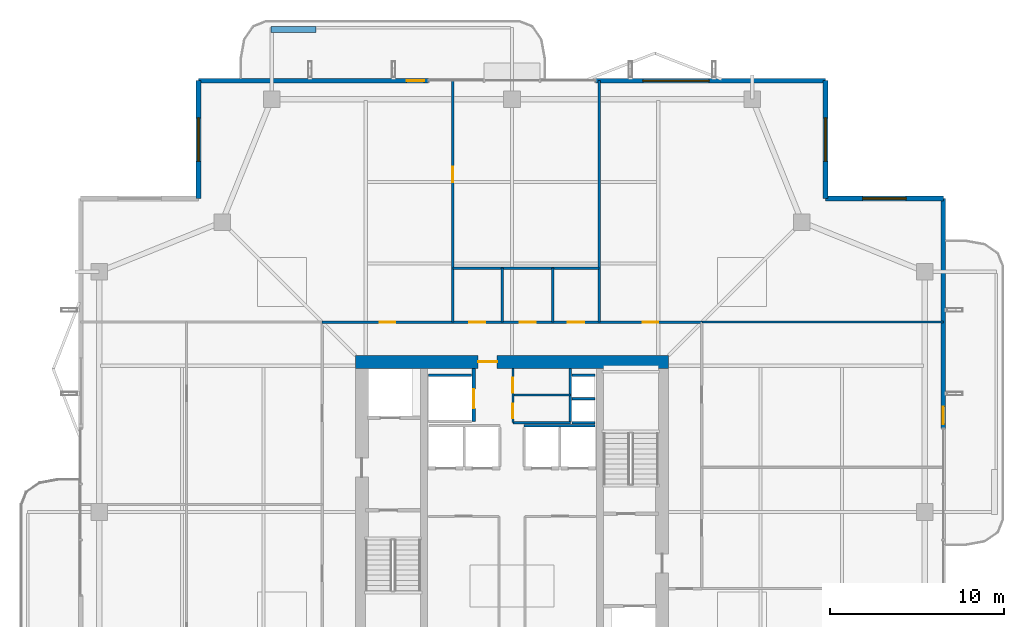
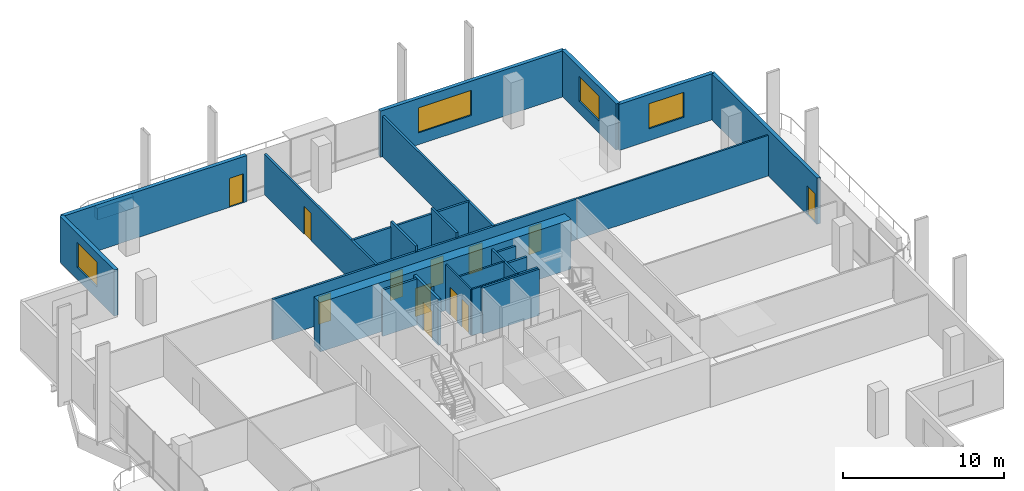
# One storey, part 20 of 25: 25 walls, 12 doors, 4 windows, 16 openings.
"""IFC4 building model written with IfcOpenShell, lengths in metres."""

from ifc_helpers import new_model, si_unit, direction, frame, frame_2d, origin, place, context, subcontext, project, spatial, rectangle, extrude, material, layer, layer_set, type_object, element, fill, save


model = new_model("IFC4")

# Units and contexts
model_context = context("Model", 3, precision=1e-05, world=origin(), true_north=direction((0.0, 1.0)))
body_context = subcontext(model_context, "Body", "Model", "MODEL_VIEW")
ifc_project = project(units=[si_unit("LENGTHUNIT", "METRE"), si_unit("AREAUNIT", "SQUARE_METRE"), si_unit("VOLUMEUNIT", "CUBIC_METRE"), si_unit("PLANEANGLEUNIT", "RADIAN"), si_unit("MASSUNIT", "GRAM", prefix="KILO")], contexts=[model_context])

# Site, building, storey
site_placement = place(None, origin())
site = spatial("IfcSite", under=ifc_project, at=site_placement, CompositionType="ELEMENT")
building_placement = place(site_placement, origin())
building = spatial("IfcBuilding", under=site, at=building_placement, Name="Belovzor Exchange Tower", CompositionType="ELEMENT")
storey_placement = place(building_placement, frame((0.0, 0.0, 257.85009765625)))
storey = spatial("IfcBuildingStorey", under=building, at=storey_placement, Name="L64", CompositionType="ELEMENT", Elevation=257.85009765625)

# Wall
ifc_material_1 = material(Name="Acoustic Plasterboard on Galvanised Studs", Category="gypsum")
ifc_layer_1 = layer(ifc_material_1, 0.1201171875)
ifc_layer_set_1 = layer_set([ifc_layer_1], Name="Acoustic Plasterboard on Galvanised Studs")
wall_type_1 = type_object("IfcWallType", Name="Acoustic Double-Stud Partition Wall 120", PredefinedType="PARTITIONING", material=ifc_layer_set_1)
wall_1_placement = place(storey_placement, frame((39.699951171875, 39.699951171875, 0.0), z_axis=(0.0, 0.0, 1.0), x_axis=(1.0, 0.0, 0.0)))
element("IfcWall", 1, at=wall_1_placement, inside=storey, type_object=wall_type_1, Name="W-P120 Partition Wall W-L64-END-NE", PredefinedType="PARTITIONING", context=body_context, shape_type="SweptSolid", body=[
    extrude(rectangle(XDim=13.8701171875, YDim=0.1201171875, at=frame_2d((6.93505859375, 0.0))), origin(), (0.0, 0.0, 1.0), 3.0849609375),
])

# Wall, openings, doors
ifc_material_2 = material(Name="Fire-Rated Plasterboard on Galvanised Studs", Category="gypsum")
ifc_layer_2 = layer(ifc_material_2, 0.1201171875)
ifc_layer_set_2 = layer_set([ifc_layer_2], Name="Fire-Rated Plasterboard on Galvanised Studs")
wall_type_2 = type_object("IfcWallType", Name="Fire-Rated Double-Stud Partition Wall 120", PredefinedType="PARTITIONING", material=ifc_layer_set_2)
wall_2_placement = place(storey_placement, frame((28.85009765625, 33.925048828125, 0.0), z_axis=(0.0, 0.0, 1.0), x_axis=(0.0, 1.0, 0.0)))
wall_2 = element("IfcWall", 2, at=wall_2_placement, inside=storey, type_object=wall_type_2, Name="W-P120F Partition Wall W-CRV-L64-W", PredefinedType="PARTITIONING", context=body_context, shape_type="SweptSolid", body=[
    extrude(rectangle(XDim=3.125, YDim=0.1201171875, at=frame_2d((1.5625, 0.0))), origin(), (0.0, 0.0, 1.0), 3.5),
])
opening_1_placement = place(wall_2_placement, frame((0.25, 0.0, 0.0)))
opening_1 = element("IfcOpeningElement", 3, at=opening_1_placement, cuts=wall_2, Name="Opening D-FD60-085", PredefinedType="OPENING", context=body_context, shape_type="SweptSolid", body=[
    extrude(rectangle(XDim=0.85009765625, YDim=2.10009765625, at=frame_2d((0.425048828125, 1.050048828125))), frame((0.0, 0.070068359375, 0.0), z_axis=(0.0, -1.0, 0.0), x_axis=(1.0, 0.0, 0.0)), (0.0, 0.0, 1.0), 0.14013671875),
])
opening_2_placement = place(wall_2_placement, frame((1.719970703125, 0.0, 0.0)))
opening_2 = element("IfcOpeningElement", 4, at=opening_2_placement, cuts=wall_2, Name="Opening D-FD60-085", PredefinedType="OPENING", context=body_context, shape_type="SweptSolid", body=[
    extrude(rectangle(XDim=0.85009765625, YDim=2.10009765625, at=frame_2d((0.425048828125, 1.050048828125))), frame((0.0, 0.070068359375, 0.0), z_axis=(0.0, -1.0, 0.0), x_axis=(1.0, 0.0, 0.0)), (0.0, 0.0, 1.0), 0.14013671875),
])
ifc_material_3 = material(Name="Fire-Rated Steel Access Leaf", Category="steel")
door_type_1 = type_object("IfcDoorType", Name="Riser & Meter Closet Access Fire Door 850x2100", OperationType="NOTDEFINED", PredefinedType="DOOR", material=ifc_material_3)
door_1_placement = place(opening_1_placement, origin())
door_1 = element("IfcDoor", 5, at=door_1_placement, inside=storey, type_object=door_type_1, Name="D-FD60-085 Riser & Meter Closet Access Fire Door 850x2100", OperationType="SINGLE_SWING_LEFT", OverallHeight=2.10009765625, OverallWidth=0.85009765625, PredefinedType="DOOR", context=body_context, shape_type="SweptSolid", body=[
    extrude(rectangle(XDim=0.85009765625, YDim=2.10009765625, at=frame_2d((0.425048828125, 1.050048828125))), frame((0.0, 0.02490234375, 0.0), z_axis=(0.0, -1.0, 0.0), x_axis=(1.0, 0.0, 0.0)), (0.0, 0.0, 1.0), 0.050048828125),
])
fill(opening_1, door_1)
door_2_placement = place(opening_2_placement, origin())
door_2 = element("IfcDoor", 6, at=door_2_placement, inside=storey, type_object=door_type_1, Name="D-FD60-085 Riser & Meter Closet Access Fire Door 850x2100", OperationType="SINGLE_SWING_RIGHT", OverallHeight=2.10009765625, OverallWidth=0.85009765625, PredefinedType="DOOR", context=body_context, shape_type="SweptSolid", body=[
    extrude(rectangle(XDim=0.85009765625, YDim=2.10009765625, at=frame_2d((0.425048828125, 1.050048828125))), frame((0.0, 0.02490234375, 0.0), z_axis=(0.0, -1.0, 0.0), x_axis=(1.0, 0.0, 0.0)), (0.0, 0.0, 1.0), 0.050048828125),
])
fill(opening_2, door_2)

# Walls
for number, where, z_axis, x_axis, name in (
    (7, (28.85009765625, 35.52490234375, 0.0), (0.0, 0.0, 1.0), (1.0, 0.0, 0.0), "W-P120F Partition Wall W-CRV-L64-M"),
    (8, (28.85009765625, 33.925048828125, 0.0), (0.0, 0.0, 1.0), (1.0, 0.0, 0.0), "W-P120F Partition Wall W-CRV-L64-S"),
):
    element("IfcWall", number, at=place(storey_placement, frame(where, z_axis=z_axis, x_axis=x_axis)), inside=storey, type_object=wall_type_2, Name=name, PredefinedType="PARTITIONING", context=body_context, shape_type="SweptSolid", body=[
        extrude(rectangle(XDim=3.2998046875, YDim=0.1201171875, at=frame_2d((1.64990234375, 0.0))), origin(), (0.0, 0.0, 1.0), 3.5),
    ])
ifc_material_4 = material(Name="Fire-Rated Gypsum Block and Mineral Wool", Category="gypsum")
ifc_layer_3 = layer(ifc_material_4, 0.14990234375)
ifc_layer_set_3 = layer_set([ifc_layer_3], Name="Fire-Rated Gypsum Block and Mineral Wool")
wall_type_3 = type_object("IfcWallType", Name="Fire-Rated Gypsum Block Corridor Wall 150", PredefinedType="PARTITIONING", material=ifc_layer_set_3)
wall_3_placement = place(storey_placement, frame((25.39990234375, 42.800048828125, 0.0), z_axis=(0.0, 0.0, 1.0), x_axis=(1.0, 0.0, 0.0)))
element("IfcWall", 9, at=wall_3_placement, inside=storey, type_object=wall_type_3, Name="W-P150 Partition Wall W-L64-WCN", PredefinedType="PARTITIONING", context=body_context, shape_type="SweptSolid", body=[
    extrude(rectangle(XDim=8.400146484375, YDim=0.14990234375, at=frame_2d((4.2001953125, 0.0))), origin(), (0.0, 0.0, 1.0), 3.0849609375),
])

# Wall, opening, door
wall_4_placement = place(storey_placement, frame((25.39990234375, 39.699951171875, 0.0), z_axis=(0.0, 0.0, 1.0), x_axis=(0.0, 1.0, 0.0)))
wall_4 = element("IfcWall", 10, at=wall_4_placement, inside=storey, type_object=wall_type_3, Name="W-P150 Partition Wall W-L64-WCW", PredefinedType="PARTITIONING", context=body_context, shape_type="SweptSolid", body=[
    extrude(rectangle(XDim=13.8701171875, YDim=0.14990234375, at=frame_2d((6.93505859375, 0.0))), origin(), (0.0, 0.0, 1.0), 3.0849609375),
])
opening_3_placement = place(wall_4_placement, frame((8.034912109375, 0.0, 0.0)))
opening_3 = element("IfcOpeningElement", 11, at=opening_3_placement, cuts=wall_4, Name="Opening D-INT-090", PredefinedType="OPENING", context=body_context, shape_type="SweptSolid", body=[
    extrude(rectangle(XDim=0.89990234375, YDim=2.10009765625, at=frame_2d((0.449951171875, 1.050048828125))), frame((0.0, 0.0849609375, 0.0), z_axis=(0.0, -1.0, 0.0), x_axis=(1.0, 0.0, 0.0)), (0.0, 0.0, 1.0), 0.169921875),
])
ifc_material_5 = material(Name="Veneered Hardwood Acoustic Leaf", Category="wood")
door_type_2 = type_object("IfcDoorType", Name="Trading Suite Acoustic Single Door 900x2100", OperationType="NOTDEFINED", PredefinedType="DOOR", material=ifc_material_5)
door_3_placement = place(opening_3_placement, origin())
door_3 = element("IfcDoor", 12, at=door_3_placement, inside=storey, type_object=door_type_2, Name="D-INT-090 Trading Suite Acoustic Single Door 900x2100", OperationType="SINGLE_SWING_LEFT", OverallHeight=2.10009765625, OverallWidth=0.89990234375, PredefinedType="DOOR", context=body_context, shape_type="SweptSolid", body=[
    extrude(rectangle(XDim=0.89990234375, YDim=2.10009765625, at=frame_2d((0.449951171875, 1.050048828125))), frame((0.0, 0.02490234375, 0.0), z_axis=(0.0, -1.0, 0.0), x_axis=(1.0, 0.0, 0.0)), (0.0, 0.0, 1.0), 0.050048828125),
])
fill(opening_3, door_3)

# Walls
wall_5_placement = place(storey_placement, frame((33.800048828125, 39.699951171875, 0.0), z_axis=(0.0, 0.0, 1.0), x_axis=(0.0, 1.0, 0.0)))
element("IfcWall", 13, at=wall_5_placement, inside=storey, type_object=wall_type_3, Name="W-P150 Partition Wall W-L64-WCE", PredefinedType="PARTITIONING", context=body_context, shape_type="SweptSolid", body=[
    extrude(rectangle(XDim=13.8701171875, YDim=0.14990234375, at=frame_2d((6.93505859375, 0.0))), origin(), (0.0, 0.0, 1.0), 3.0849609375),
])
for number, where, z_axis, x_axis, name in (
    (14, (28.25, 39.699951171875, 0.0), (0.0, 0.0, 1.0), (0.0, 1.0, 0.0), "W-P150 Partition Wall W-L64-WCD1"),
    (15, (31.14990234375, 39.699951171875, 0.0), (0.0, 0.0, 1.0), (0.0, 1.0, 0.0), "W-P150 Partition Wall W-L64-WCD2"),
):
    element("IfcWall", number, at=place(storey_placement, frame(where, z_axis=z_axis, x_axis=x_axis)), inside=storey, type_object=wall_type_3, Name=name, PredefinedType="PARTITIONING", context=body_context, shape_type="SweptSolid", body=[
        extrude(rectangle(XDim=3.10009765625, YDim=0.14990234375, at=frame_2d((1.550048828125, 0.0))), origin(), (0.0, 0.0, 1.0), 3.5),
    ])

# Wall, openings, doors
wall_6_placement = place(storey_placement, frame((17.89990234375, 39.699951171875, 0.0), z_axis=(0.0, 0.0, 1.0), x_axis=(1.0, 0.0, 0.0)))
wall_6 = element("IfcWall", 16, at=wall_6_placement, inside=storey, type_object=wall_type_3, Name="W-P150 Partition Wall W-L64-CN", PredefinedType="PARTITIONING", context=body_context, shape_type="SweptSolid", body=[
    extrude(rectangle(XDim=21.800048828125, YDim=0.14990234375, at=frame_2d((10.89990234375, 0.0))), origin(), (0.0, 0.0, 1.0), 3.0849609375),
])
opening_4_placement = place(wall_6_placement, frame((3.300048828125, 0.0, 0.0)))
opening_4 = element("IfcOpeningElement", 17, at=opening_4_placement, cuts=wall_6, Name="Opening D-INT-090", PredefinedType="OPENING", context=body_context, shape_type="SweptSolid", body=[
    extrude(rectangle(XDim=0.89990234375, YDim=2.10009765625, at=frame_2d((0.449951171875, 1.050048828125))), frame((0.0, 0.0849609375, 0.0), z_axis=(0.0, -1.0, 0.0), x_axis=(1.0, 0.0, 0.0)), (0.0, 0.0, 1.0), 0.169921875),
])
opening_5_placement = place(wall_6_placement, frame((8.449951171875, 0.0, 0.0)))
opening_5 = element("IfcOpeningElement", 18, at=opening_5_placement, cuts=wall_6, Name="Opening D-FD60-090", PredefinedType="OPENING", context=body_context, shape_type="SweptSolid", body=[
    extrude(rectangle(XDim=0.89990234375, YDim=2.10009765625, at=frame_2d((0.449951171875, 1.050048828125))), frame((0.0, 0.0849609375, 0.0), z_axis=(0.0, -1.0, 0.0), x_axis=(1.0, 0.0, 0.0)), (0.0, 0.0, 1.0), 0.169921875),
])
opening_6_placement = place(wall_6_placement, frame((11.35009765625, 0.0, 0.0)))
opening_6 = element("IfcOpeningElement", 19, at=opening_6_placement, cuts=wall_6, Name="Opening D-FD60-090", PredefinedType="OPENING", context=body_context, shape_type="SweptSolid", body=[
    extrude(rectangle(XDim=0.89990234375, YDim=2.10009765625, at=frame_2d((0.449951171875, 1.050048828125))), frame((0.0, 0.0849609375, 0.0), z_axis=(0.0, -1.0, 0.0), x_axis=(1.0, 0.0, 0.0)), (0.0, 0.0, 1.0), 0.169921875),
])
opening_7_placement = place(wall_6_placement, frame((14.10009765625, 0.0, 0.0)))
opening_7 = element("IfcOpeningElement", 20, at=opening_7_placement, cuts=wall_6, Name="Opening D-FD60-095", PredefinedType="OPENING", context=body_context, shape_type="SweptSolid", body=[
    extrude(rectangle(XDim=0.949951171875, YDim=2.10009765625, at=frame_2d((0.47509765625, 1.050048828125))), frame((0.0, 0.0849609375, 0.0), z_axis=(0.0, -1.0, 0.0), x_axis=(1.0, 0.0, 0.0)), (0.0, 0.0, 1.0), 0.169921875),
])
opening_8_placement = place(wall_6_placement, frame((18.39990234375, 0.0, 0.0)))
opening_8 = element("IfcOpeningElement", 21, at=opening_8_placement, cuts=wall_6, Name="Opening D-INT-090", PredefinedType="OPENING", context=body_context, shape_type="SweptSolid", body=[
    extrude(rectangle(XDim=0.89990234375, YDim=2.10009765625, at=frame_2d((0.449951171875, 1.050048828125))), frame((0.0, 0.0849609375, 0.0), z_axis=(0.0, -1.0, 0.0), x_axis=(1.0, 0.0, 0.0)), (0.0, 0.0, 1.0), 0.169921875),
])
ifc_material_6 = material(Name="Moisture-Resistant Timber Fire Leaf", Category="wood")
door_type_3 = type_object("IfcDoorType", Name="Accessible Restroom Wide Fire Door 950x2100", OperationType="NOTDEFINED", PredefinedType="DOOR", material=ifc_material_6)
door_4_placement = place(opening_7_placement, origin())
door_4 = element("IfcDoor", 22, at=door_4_placement, inside=storey, type_object=door_type_3, Name="D-FD60-095 Accessible Restroom Wide Fire Door 950x2100", OperationType="SINGLE_SWING_LEFT", OverallHeight=2.10009765625, OverallWidth=0.949951171875, PredefinedType="DOOR", context=body_context, shape_type="SweptSolid", body=[
    extrude(rectangle(XDim=0.949951171875, YDim=2.10009765625, at=frame_2d((0.47509765625, 1.050048828125))), frame((0.0, 0.02490234375, 0.0), z_axis=(0.0, -1.0, 0.0), x_axis=(1.0, 0.0, 0.0)), (0.0, 0.0, 1.0), 0.050048828125),
])
fill(opening_7, door_4)
ifc_material_7 = material(Name="Acoustic Timber Fire Leaf", Category="wood")
door_type_4 = type_object("IfcDoorType", Name="Core Service & Restroom Fire Door 900x2100", OperationType="NOTDEFINED", PredefinedType="DOOR", material=ifc_material_7)
door_5_placement = place(opening_5_placement, origin())
door_5 = element("IfcDoor", 23, at=door_5_placement, inside=storey, type_object=door_type_4, Name="D-FD60-090 Core Service & Restroom Fire Door 900x2100", OperationType="SINGLE_SWING_LEFT", OverallHeight=2.10009765625, OverallWidth=0.89990234375, PredefinedType="DOOR", context=body_context, shape_type="SweptSolid", body=[
    extrude(rectangle(XDim=0.89990234375, YDim=2.10009765625, at=frame_2d((0.449951171875, 1.050048828125))), frame((0.0, 0.02490234375, 0.0), z_axis=(0.0, -1.0, 0.0), x_axis=(1.0, 0.0, 0.0)), (0.0, 0.0, 1.0), 0.050048828125),
])
fill(opening_5, door_5)
door_6_placement = place(opening_6_placement, origin())
door_6 = element("IfcDoor", 24, at=door_6_placement, inside=storey, type_object=door_type_4, Name="D-FD60-090 Core Service & Restroom Fire Door 900x2100", OperationType="SINGLE_SWING_RIGHT", OverallHeight=2.10009765625, OverallWidth=0.89990234375, PredefinedType="DOOR", context=body_context, shape_type="SweptSolid", body=[
    extrude(rectangle(XDim=0.89990234375, YDim=2.10009765625, at=frame_2d((0.449951171875, 1.050048828125))), frame((0.0, 0.02490234375, 0.0), z_axis=(0.0, -1.0, 0.0), x_axis=(1.0, 0.0, 0.0)), (0.0, 0.0, 1.0), 0.050048828125),
])
fill(opening_6, door_6)
door_7_placement = place(opening_4_placement, origin())
door_7 = element("IfcDoor", 25, at=door_7_placement, inside=storey, type_object=door_type_2, Name="D-INT-090 Trading Suite Acoustic Single Door 900x2100", OperationType="SINGLE_SWING_LEFT", OverallHeight=2.10009765625, OverallWidth=0.89990234375, PredefinedType="DOOR", context=body_context, shape_type="SweptSolid", body=[
    extrude(rectangle(XDim=0.89990234375, YDim=2.10009765625, at=frame_2d((0.449951171875, 1.050048828125))), frame((0.0, 0.02490234375, 0.0), z_axis=(0.0, -1.0, 0.0), x_axis=(1.0, 0.0, 0.0)), (0.0, 0.0, 1.0), 0.050048828125),
])
fill(opening_4, door_7)
door_8_placement = place(opening_8_placement, origin())
door_8 = element("IfcDoor", 26, at=door_8_placement, inside=storey, type_object=door_type_2, Name="D-INT-090 Trading Suite Acoustic Single Door 900x2100", OperationType="SINGLE_SWING_RIGHT", OverallHeight=2.10009765625, OverallWidth=0.89990234375, PredefinedType="DOOR", context=body_context, shape_type="SweptSolid", body=[
    extrude(rectangle(XDim=0.89990234375, YDim=2.10009765625, at=frame_2d((0.449951171875, 1.050048828125))), frame((0.0, 0.02490234375, 0.0), z_axis=(0.0, -1.0, 0.0), x_axis=(1.0, 0.0, 0.0)), (0.0, 0.0, 1.0), 0.050048828125),
])
fill(opening_8, door_8)

# Wall, opening, window
ifc_material_8 = material(Name="Precast concrete C40/50", Category="concrete")
ifc_layer_4 = layer(ifc_material_8, 0.280029296875)
ifc_layer_set_4 = layer_set([ifc_layer_4], Name="Precast concrete C40/50")
wall_type_4 = type_object("IfcWallType", Name="Precast Concrete Notched Corner Frame Wall 280", PredefinedType="SOLIDWALL", material=ifc_layer_set_4)
wall_7_placement = place(storey_placement, frame((10.800048828125, 46.800048828125, 0.0), z_axis=(0.0, 0.0, 1.0), x_axis=(0.0, 1.0, 0.0)))
wall_7 = element("IfcWall", 27, at=wall_7_placement, inside=storey, type_object=wall_type_4, Name="W-CRN280 Precast Concrete Notched Corner Frame Wall 280 L64", PredefinedType="SOLIDWALL", context=body_context, shape_type="SweptSolid", body=[
    extrude(rectangle(XDim=6.77001953125, YDim=0.280029296875, at=frame_2d((3.385009765625, 0.0))), origin(), (0.0, 0.0, 1.0), 3.5),
])
opening_9_placement = place(wall_7_placement, frame((2.135009765625, 0.0, 0.89990234375)))
opening_9 = element("IfcOpeningElement", 28, at=opening_9_placement, cuts=wall_7, Name="Opening WN-CRN250", PredefinedType="OPENING", context=body_context, shape_type="SweptSolid", body=[
    extrude(rectangle(XDim=2.5, YDim=1.89990234375, at=frame_2d((1.25, 0.949951171875))), frame((0.0, 0.14990234375, 0.0), z_axis=(0.0, -1.0, 0.0), x_axis=(1.0, 0.0, 0.0)), (0.0, 0.0, 1.0), 0.300048828125),
])
ifc_material_9 = material(Name="Thermally Broken Aluminium and Triple Glazing", Category="aluminium")
window_type_1 = type_object("IfcWindowType", Name="Streamline Moderne Corner Wrap Ribbon Window 2500x1900", PartitioningType="SINGLE_PANEL", PredefinedType="WINDOW", material=ifc_material_9)
window_1_placement = place(opening_9_placement, origin())
window_1 = element("IfcWindow", 29, at=window_1_placement, inside=storey, type_object=window_type_1, Name="WN-CRN250 Streamline Moderne Corner Wrap Ribbon Window 2500x1900", OverallHeight=1.89990234375, OverallWidth=2.5, PartitioningType="SINGLE_PANEL", PredefinedType="WINDOW", context=body_context, shape_type="SweptSolid", body=[
    extrude(rectangle(XDim=2.5, YDim=1.89990234375, at=frame_2d((1.25, 0.949951171875))), frame((0.0, 0.030029296875, 0.0), z_axis=(0.0, -1.0, 0.0), x_axis=(1.0, 0.0, 0.0)), (0.0, 0.0, 1.0), 0.06005859375),
])
fill(opening_9, window_1)

wall_8_placement = place(storey_placement, frame((46.800048828125, 53.570068359375, 0.0), z_axis=(0.0, 0.0, 1.0), x_axis=(0.0, -1.0, 0.0)))
wall_8 = element("IfcWall", 30, at=wall_8_placement, inside=storey, type_object=wall_type_4, Name="W-CRN280 Precast Concrete Notched Corner Frame Wall 280 L64", PredefinedType="SOLIDWALL", context=body_context, shape_type="SweptSolid", body=[
    extrude(rectangle(XDim=6.77001953125, YDim=0.280029296875, at=frame_2d((3.385009765625, 0.0))), origin(), (0.0, 0.0, 1.0), 3.5),
])
opening_10_placement = place(wall_8_placement, frame((2.135009765625, 0.0, 0.89990234375)))
opening_10 = element("IfcOpeningElement", 31, at=opening_10_placement, cuts=wall_8, Name="Opening WN-CRN250", PredefinedType="OPENING", context=body_context, shape_type="SweptSolid", body=[
    extrude(rectangle(XDim=2.5, YDim=1.89990234375, at=frame_2d((1.25, 0.949951171875))), frame((0.0, 0.14990234375, 0.0), z_axis=(0.0, -1.0, 0.0), x_axis=(1.0, 0.0, 0.0)), (0.0, 0.0, 1.0), 0.300048828125),
])
window_2_placement = place(opening_10_placement, origin())
window_2 = element("IfcWindow", 32, at=window_2_placement, inside=storey, type_object=window_type_1, Name="WN-CRN250 Streamline Moderne Corner Wrap Ribbon Window 2500x1900", OverallHeight=1.89990234375, OverallWidth=2.5, PartitioningType="SINGLE_PANEL", PredefinedType="WINDOW", context=body_context, shape_type="SweptSolid", body=[
    extrude(rectangle(XDim=2.5, YDim=1.89990234375, at=frame_2d((1.25, 0.949951171875))), frame((0.0, 0.030029296875, 0.0), z_axis=(0.0, -1.0, 0.0), x_axis=(1.0, 0.0, 0.0)), (0.0, 0.0, 1.0), 0.06005859375),
])
fill(opening_10, window_2)

wall_9_placement = place(storey_placement, frame((46.800048828125, 46.800048828125, 0.0), z_axis=(0.0, 0.0, 1.0), x_axis=(1.0, 0.0, 0.0)))
wall_9 = element("IfcWall", 33, at=wall_9_placement, inside=storey, type_object=wall_type_4, Name="W-CRN280 Precast Concrete Notched Corner Frame Wall 280 L64", PredefinedType="SOLIDWALL", context=body_context, shape_type="SweptSolid", body=[
    extrude(rectangle(XDim=6.77001953125, YDim=0.280029296875, at=frame_2d((3.385009765625, 0.0))), origin(), (0.0, 0.0, 1.0), 3.5),
])
opening_11_placement = place(wall_9_placement, frame((2.135009765625, 0.0, 0.89990234375)))
opening_11 = element("IfcOpeningElement", 34, at=opening_11_placement, cuts=wall_9, Name="Opening WN-CRN250", PredefinedType="OPENING", context=body_context, shape_type="SweptSolid", body=[
    extrude(rectangle(XDim=2.5, YDim=1.89990234375, at=frame_2d((1.25, 0.949951171875))), frame((0.0, 0.14990234375, 0.0), z_axis=(0.0, -1.0, 0.0), x_axis=(1.0, 0.0, 0.0)), (0.0, 0.0, 1.0), 0.300048828125),
])
window_3_placement = place(opening_11_placement, origin())
window_3 = element("IfcWindow", 35, at=window_3_placement, inside=storey, type_object=window_type_1, Name="WN-CRN250 Streamline Moderne Corner Wrap Ribbon Window 2500x1900", OverallHeight=1.89990234375, OverallWidth=2.5, PartitioningType="SINGLE_PANEL", PredefinedType="WINDOW", context=body_context, shape_type="SweptSolid", body=[
    extrude(rectangle(XDim=2.5, YDim=1.89990234375, at=frame_2d((1.25, 0.949951171875))), frame((0.0, 0.030029296875, 0.0), z_axis=(0.0, -1.0, 0.0), x_axis=(1.0, 0.0, 0.0)), (0.0, 0.0, 1.0), 0.06005859375),
])
fill(opening_11, window_3)

# Wall, opening, door
ifc_material_10 = material(Name="Precast concrete C40/50", Category="concrete")
ifc_layer_5 = layer(ifc_material_10, 0.260009765625)
ifc_layer_set_5 = layer_set([ifc_layer_5], Name="Precast concrete C40/50")
wall_type_5 = type_object("IfcWallType", Name="Precast Concrete Perimeter Loggia Frame Wall 260", PredefinedType="SOLIDWALL", material=ifc_layer_set_5)
wall_10_placement = place(storey_placement, frame((10.800048828125, 53.570068359375, 0.0), z_axis=(0.0, 0.0, 1.0), x_axis=(1.0, 0.0, 0.0)))
wall_10 = element("IfcWall", 36, at=wall_10_placement, inside=storey, type_object=wall_type_5, Name="W-EXT260 Precast Concrete Perimeter Loggia Frame Wall 260 L64", PredefinedType="SOLIDWALL", context=body_context, shape_type="SweptSolid", body=[
    extrude(rectangle(XDim=13.199951171875, YDim=0.260009765625, at=frame_2d((6.60009765625, 0.0))), origin(), (0.0, 0.0, 1.0), 3.5),
])
opening_12_placement = place(wall_10_placement, frame((11.949951171875, 0.0, 0.0)))
opening_12 = element("IfcOpeningElement", 37, at=opening_12_placement, cuts=wall_10, Name="Opening D-BAL100", PredefinedType="OPENING", context=body_context, shape_type="SweptSolid", body=[
    extrude(rectangle(XDim=1.0, YDim=2.199951171875, at=frame_2d((0.5, 1.10009765625))), frame((0.0, 0.139892578125, 0.0), z_axis=(0.0, -1.0, 0.0), x_axis=(1.0, 0.0, 0.0)), (0.0, 0.0, 1.0), 0.280029296875),
])
ifc_material_11 = material(Name="Thermally Broken Anodised Aluminium and Laminated Glass", Category="aluminium")
door_type_5 = type_object("IfcDoorType", Name="Planted Loggia Terrace Glazed Door 1000x2200", OperationType="SINGLE_SWING_LEFT", PredefinedType="DOOR", material=ifc_material_11)
door_9_placement = place(opening_12_placement, origin())
door_9 = element("IfcDoor", 38, at=door_9_placement, inside=storey, type_object=door_type_5, Name="D-BAL100 Balcony Terrace Door L64 N", OperationType="SINGLE_SWING_RIGHT", OverallHeight=2.199951171875, OverallWidth=1.0, PredefinedType="DOOR", context=body_context, shape_type="SweptSolid", body=[
    extrude(rectangle(XDim=1.0, YDim=2.199951171875, at=frame_2d((0.5, 1.10009765625))), frame((0.0, 0.02490234375, 0.0), z_axis=(0.0, -1.0, 0.0), x_axis=(1.0, 0.0, 0.0)), (0.0, 0.0, 1.0), 0.050048828125),
])
fill(opening_12, door_9)

# Wall, opening, window
wall_11_placement = place(storey_placement, frame((33.60009765625, 53.570068359375, 0.0), z_axis=(0.0, 0.0, 1.0), x_axis=(1.0, 0.0, 0.0)))
wall_11 = element("IfcWall", 39, at=wall_11_placement, inside=storey, type_object=wall_type_5, Name="W-EXT260 Precast Concrete Perimeter Loggia Frame Wall 260 L64", PredefinedType="SOLIDWALL", context=body_context, shape_type="SweptSolid", body=[
    extrude(rectangle(XDim=13.199951171875, YDim=0.260009765625, at=frame_2d((6.60009765625, 0.0))), origin(), (0.0, 0.0, 1.0), 3.5),
])
opening_13_placement = place(wall_11_placement, frame((2.712890625, 0.0, 0.89990234375)))
opening_13 = element("IfcOpeningElement", 40, at=opening_13_placement, cuts=wall_11, Name="Opening WN-RIB380", PredefinedType="OPENING", context=body_context, shape_type="SweptSolid", body=[
    extrude(rectangle(XDim=3.800048828125, YDim=1.89990234375, at=frame_2d((1.89990234375, 0.949951171875))), frame((0.0, 0.139892578125, 0.0), z_axis=(0.0, -1.0, 0.0), x_axis=(1.0, 0.0, 0.0)), (0.0, 0.0, 1.0), 0.280029296875),
])
ifc_material_12 = material(Name="Thermally Broken Aluminium and Triple Glazing", Category="aluminium")
window_type_2 = type_object("IfcWindowType", Name="Streamline Moderne Horizontal Ribbon Window 3800x1900", PartitioningType="SINGLE_PANEL", PredefinedType="WINDOW", material=ifc_material_12)
window_4_placement = place(opening_13_placement, origin())
window_4 = element("IfcWindow", 41, at=window_4_placement, inside=storey, type_object=window_type_2, Name="WN-RIB380 Streamline Moderne Horizontal Ribbon Window 3800x1900", OverallHeight=1.89990234375, OverallWidth=3.800048828125, PartitioningType="SINGLE_PANEL", PredefinedType="WINDOW", context=body_context, shape_type="SweptSolid", body=[
    extrude(rectangle(XDim=3.800048828125, YDim=1.89990234375, at=frame_2d((1.89990234375, 0.949951171875))), frame((0.0, 0.030029296875, 0.0), z_axis=(0.0, -1.0, 0.0), x_axis=(1.0, 0.0, 0.0)), (0.0, 0.0, 1.0), 0.06005859375),
])
fill(opening_13, window_4)

# Wall, opening, door
wall_12_placement = place(storey_placement, frame((53.570068359375, 46.800048828125, 0.0), z_axis=(0.0, 0.0, 1.0), x_axis=(0.0, -1.0, 0.0)))
wall_12 = element("IfcWall", 42, at=wall_12_placement, inside=storey, type_object=wall_type_5, Name="W-EXT260 Precast Concrete Perimeter Loggia Frame Wall 260 L64", PredefinedType="SOLIDWALL", context=body_context, shape_type="SweptSolid", body=[
    extrude(rectangle(XDim=13.199951171875, YDim=0.260009765625, at=frame_2d((6.60009765625, 0.0))), origin(), (0.0, 0.0, 1.0), 3.5),
])
opening_14_placement = place(wall_12_placement, frame((11.949951171875, 0.0, 0.0)))
opening_14 = element("IfcOpeningElement", 43, at=opening_14_placement, cuts=wall_12, Name="Opening D-BAL100", PredefinedType="OPENING", context=body_context, shape_type="SweptSolid", body=[
    extrude(rectangle(XDim=1.0, YDim=2.199951171875, at=frame_2d((0.5, 1.10009765625))), frame((0.0, 0.139892578125, 0.0), z_axis=(0.0, -1.0, 0.0), x_axis=(1.0, 0.0, 0.0)), (0.0, 0.0, 1.0), 0.280029296875),
])
door_10_placement = place(opening_14_placement, origin())
door_10 = element("IfcDoor", 44, at=door_10_placement, inside=storey, type_object=door_type_5, Name="D-BAL100 Balcony Terrace Door L64 E", OperationType="SINGLE_SWING_LEFT", OverallHeight=2.199951171875, OverallWidth=1.0, PredefinedType="DOOR", context=body_context, shape_type="SweptSolid", body=[
    extrude(rectangle(XDim=1.0, YDim=2.199951171875, at=frame_2d((0.5, 1.10009765625))), frame((0.0, 0.02490234375, 0.0), z_axis=(0.0, -1.0, 0.0), x_axis=(1.0, 0.0, 0.0)), (0.0, 0.0, 1.0), 0.050048828125),
])
fill(opening_14, door_10)

# Walls
ifc_material_13 = material(Name="Precast concrete C40/50", Category="concrete")
ifc_layer_6 = layer(ifc_material_13, 0.35009765625)
ifc_layer_set_6 = layer_set([ifc_layer_6], Name="Precast concrete C40/50")
wall_type_6 = type_object("IfcWallType", Name="Precast Concrete Structural Tree Planter Trough 350", PredefinedType="PARAPET", material=ifc_layer_set_6)
wall_13_placement = place(storey_placement, frame((14.949951171875, 56.5, 0.0), z_axis=(0.0, 0.0, 1.0), x_axis=(1.0, 0.0, 0.0)))
element("IfcWall", 45, at=wall_13_placement, inside=storey, type_object=wall_type_6, Name="PT-350 Precast Concrete Structural Tree Planter Trough 350 L64", PredefinedType="PARAPET", context=body_context, shape_type="SweptSolid", body=[
    extrude(rectangle(XDim=2.60009765625, YDim=0.35009765625, at=frame_2d((1.300048828125, 0.0))), origin(), (0.0, 0.0, 1.0), 0.89990234375),
])
ifc_material_14 = material(Name="Concrete C50/60", Category="concrete")
ifc_layer_7 = layer(ifc_material_14, 0.14990234375)
ifc_layer_set_7 = layer_set([ifc_layer_7], Name="Concrete C50/60")
wall_type_7 = type_object("IfcWallType", Name="Reinforced Concrete Core Riser Shear Wall 150", PredefinedType="SHEAR", material=ifc_layer_set_7)
wall_14_placement = place(storey_placement, frame((32.14990234375, 34.0, 0.0), z_axis=(0.0, 0.0, 1.0), x_axis=(0.0, 1.0, 0.0)))
element("IfcWall", 46, at=wall_14_placement, inside=storey, type_object=wall_type_7, Name="W-C150S Core Shaft Wall W-RSR-L64-E", PredefinedType="SHEAR", context=body_context, shape_type="SweptSolid", body=[
    extrude(rectangle(XDim=3.050048828125, YDim=0.14990234375, at=frame_2d((1.52490234375, 0.0))), origin(), (0.0, 0.0, 1.0), 3.5),
])
for number, where, z_axis, x_axis, name in (
    (47, (32.25, 33.925048828125, 0.0), (0.0, 0.0, 1.0), (1.0, 0.0, 0.0), "W-C150S Core Shaft Wall W-RSR-L64-S"),
    (48, (32.25, 35.300048828125, 0.0), (0.0, 0.0, 1.0), (1.0, 0.0, 0.0), "W-C150S Core Shaft Wall W-RSR-L64-M"),
):
    element("IfcWall", number, at=place(storey_placement, frame(where, z_axis=z_axis, x_axis=x_axis)), inside=storey, type_object=wall_type_7, Name=name, PredefinedType="SHEAR", context=body_context, shape_type="SweptSolid", body=[
        extrude(rectangle(XDim=1.330078125, YDim=0.14990234375, at=frame_2d((0.6650390625, 0.0))), origin(), (0.0, 0.0, 1.0), 3.5),
    ])
wall_15_placement = place(storey_placement, frame((24.0, 36.64990234375, 0.0), z_axis=(0.0, 0.0, 1.0), x_axis=(1.0, 0.0, 0.0)))
element("IfcWall", 49, at=wall_15_placement, inside=storey, type_object=wall_type_7, Name="W-C150S Core Shaft Wall W-SH-L64-SL-01N", PredefinedType="SHEAR", context=body_context, shape_type="SweptSolid", body=[
    extrude(rectangle(XDim=2.47998046875, YDim=0.14990234375, at=frame_2d((1.239990234375, 0.0))), origin(), (0.0, 0.0, 1.0), 3.5),
])
wall_16_placement = place(storey_placement, frame((32.25, 36.64990234375, 0.0), z_axis=(0.0, 0.0, 1.0), x_axis=(1.0, 0.0, 0.0)))
element("IfcWall", 50, at=wall_16_placement, inside=storey, type_object=wall_type_7, Name="W-C150S Core Shaft Wall W-RSR-L64-N", PredefinedType="SHEAR", context=body_context, shape_type="SweptSolid", body=[
    extrude(rectangle(XDim=1.330078125, YDim=0.14990234375, at=frame_2d((0.6650390625, 0.0))), origin(), (0.0, 0.0, 1.0), 3.5),
])
wall_17_placement = place(storey_placement, frame((29.5, 33.760009765625, 0.0), z_axis=(0.0, 0.0, 1.0), x_axis=(1.0, 0.0, 0.0)))
element("IfcWall", 51, at=wall_17_placement, inside=storey, type_object=wall_type_7, Name="W-C150S Core Shaft Wall W-SHB-L64-PLH-NE", PredefinedType="SHEAR", context=body_context, shape_type="SweptSolid", body=[
    extrude(rectangle(XDim=4.080078125, YDim=0.14990234375, at=frame_2d((2.0400390625, 0.0))), origin(), (0.0, 0.0, 1.0), 3.5),
])

# Wall, opening, door
ifc_material_15 = material(Name="Concrete C50/60", Category="concrete")
ifc_layer_8 = layer(ifc_material_15, 0.199951171875)
ifc_layer_set_8 = layer_set([ifc_layer_8], Name="Concrete C50/60")
wall_type_8 = type_object("IfcWallType", Name="Reinforced Concrete Core Shaft Shear Wall 200", PredefinedType="SHEAR", material=ifc_layer_set_8)
wall_18_placement = place(storey_placement, frame((26.60009765625, 34.0, 0.0), z_axis=(0.0, 0.0, 1.0), x_axis=(0.0, 1.0, 0.0)))
wall_18 = element("IfcWall", 52, at=wall_18_placement, inside=storey, type_object=wall_type_8, Name="W-C200S Core Shaft Wall W-SH-L64-SL-01", PredefinedType="SHEAR", context=body_context, shape_type="SweptSolid", body=[
    extrude(rectangle(XDim=3.050048828125, YDim=0.199951171875, at=frame_2d((1.52490234375, 0.0))), origin(), (0.0, 0.0, 1.0), 3.5),
])
opening_15_placement = place(wall_18_placement, frame((0.75, 0.0, 0.0)))
opening_15 = element("IfcOpeningElement", 53, at=opening_15_placement, cuts=wall_18, Name="Opening LD-110", PredefinedType="OPENING", context=body_context, shape_type="SweptSolid", body=[
    extrude(rectangle(XDim=1.10009765625, YDim=2.14990234375, at=frame_2d((0.550048828125, 1.074951171875))), frame((0.0, 0.10986328125, 0.0), z_axis=(0.0, -1.0, 0.0), x_axis=(1.0, 0.0, 0.0)), (0.0, 0.0, 1.0), 0.219970703125),
])
ifc_material_16 = material(Name="Stainless Steel Grade 304", Category="steel")
door_type_6 = type_object("IfcDoorType", Name="Automated Stainless Steel Lift Landing Door 1100x2150", OperationType="SLIDING_TO_RIGHT", PredefinedType="DOOR", material=ifc_material_16)
door_11_placement = place(opening_15_placement, origin())
door_11 = element("IfcDoor", 54, at=door_11_placement, inside=storey, type_object=door_type_6, Name="LD-110 Automated Stainless Steel Lift Landing Door 1100x2150", OperationType="SLIDING_TO_RIGHT", OverallHeight=2.14990234375, OverallWidth=1.10009765625, PredefinedType="DOOR", context=body_context, shape_type="SweptSolid", body=[
    extrude(rectangle(XDim=1.10009765625, YDim=2.14990234375, at=frame_2d((0.550048828125, 1.074951171875))), frame((0.0, 0.02490234375, 0.0), z_axis=(0.0, -1.0, 0.0), x_axis=(1.0, 0.0, 0.0)), (0.0, 0.0, 1.0), 0.050048828125),
])
fill(opening_15, door_11)

ifc_material_17 = material(Name="Concrete C50/60", Category="concrete")
ifc_layer_9 = layer(ifc_material_17, 0.75)
ifc_layer_set_9 = layer_set([ifc_layer_9], Name="Concrete C50/60")
wall_type_9 = type_object("IfcWallType", Name="Reinforced Concrete Core Shear Wall 750", PredefinedType="SHEAR", material=ifc_layer_set_9)
wall_19_placement = place(storey_placement, frame((19.800048828125, 37.425048828125, 0.0), z_axis=(0.0, 0.0, 1.0), x_axis=(1.0, 0.0, 0.0)))
wall_19 = element("IfcWall", 55, at=wall_19_placement, inside=storey, type_object=wall_type_9, Name="CW-S075 Core Shear Wall L64 N", PredefinedType="SHEAR", context=body_context, shape_type="SweptSolid", body=[
    extrude(rectangle(XDim=18.0, YDim=0.75, at=frame_2d((9.0, 0.0))), origin(), (0.0, 0.0, 1.0), 3.75),
])
opening_16_placement = place(wall_19_placement, frame((7.050048828125, 0.0, 0.0)))
opening_16 = element("IfcOpeningElement", 56, at=opening_16_placement, cuts=wall_19, Name="Opening D-FD90-110", PredefinedType="OPENING", context=body_context, shape_type="SweptSolid", body=[
    extrude(rectangle(XDim=1.10009765625, YDim=2.14990234375, at=frame_2d((0.550048828125, 1.074951171875))), frame((0.0, 0.385009765625, 0.0), z_axis=(0.0, -1.0, 0.0), x_axis=(1.0, 0.0, 0.0)), (0.0, 0.0, 1.0), 0.77001953125),
])
ifc_material_18 = material(Name="Fire-Rated Galvanised Steel Leaf", Category="steel")
door_type_7 = type_object("IfcDoorType", Name="Protected Escape Vestibule Fire Door 1100x2150", OperationType="NOTDEFINED", PredefinedType="DOOR", material=ifc_material_18)
door_12_placement = place(opening_16_placement, origin())
door_12 = element("IfcDoor", 57, at=door_12_placement, inside=storey, type_object=door_type_7, Name="D-FD90-110 Protected Escape Vestibule Fire Door 1100x2150", OperationType="SINGLE_SWING_LEFT", OverallHeight=2.14990234375, OverallWidth=1.10009765625, PredefinedType="DOOR", context=body_context, shape_type="SweptSolid", body=[
    extrude(rectangle(XDim=1.10009765625, YDim=2.14990234375, at=frame_2d((0.550048828125, 1.074951171875))), frame((0.0, 0.02490234375, 0.0), z_axis=(0.0, -1.0, 0.0), x_axis=(1.0, 0.0, 0.0)), (0.0, 0.0, 1.0), 0.050048828125),
])
fill(opening_16, door_12)

save(model, "model.ifc")
